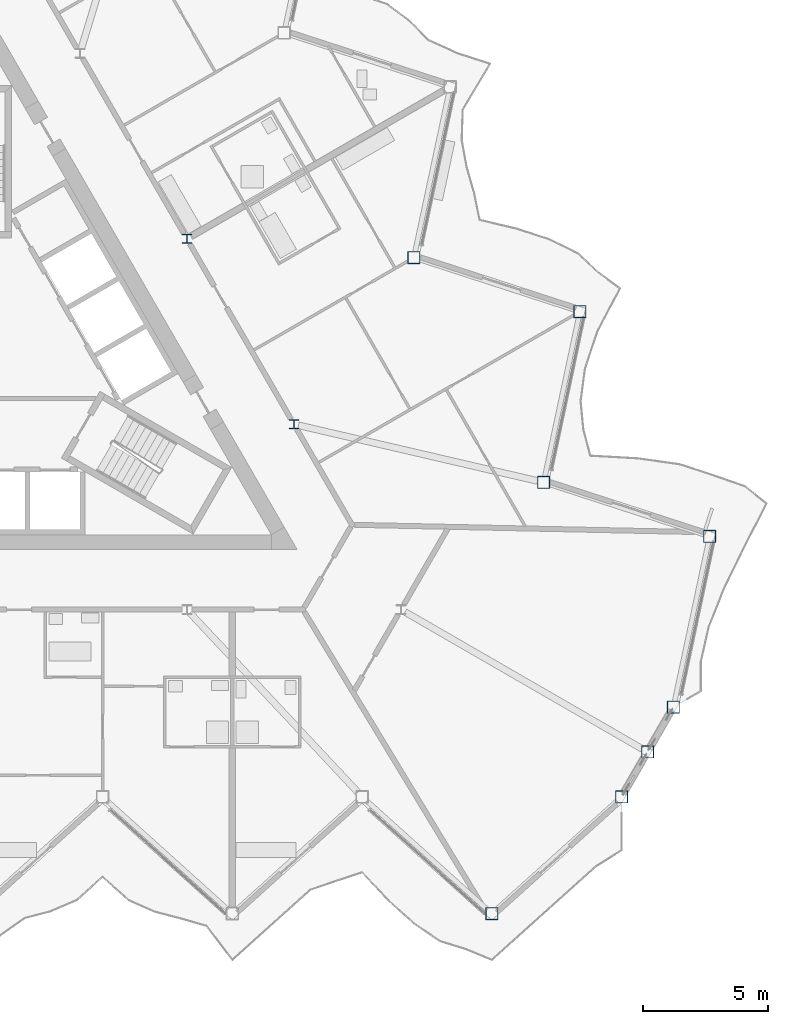
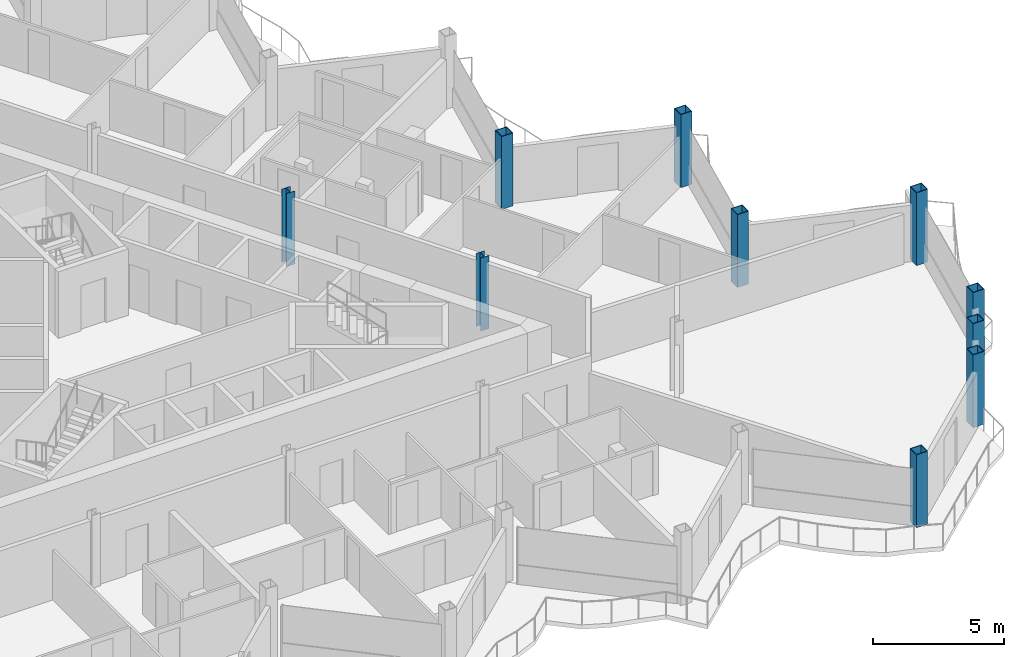
# One storey, part 2 of 25: 10 columns.
"""IFC4 building model written with IfcOpenShell, lengths in metres."""

from ifc_helpers import new_model, si_unit, direction, frame, origin, origin_2d, place, context, subcontext, project, spatial, hollow_rectangle, i_section, extrude, material, material_profile, profile_set, type_object, element, save


model = new_model("IFC4")

# Units and contexts
model_context = context("Model", 3, precision=1e-05, world=origin(), true_north=direction((0.0, 1.0)))
body_context = subcontext(model_context, "Body", "Model", "MODEL_VIEW")
ifc_project = project(units=[si_unit("LENGTHUNIT", "METRE"), si_unit("AREAUNIT", "SQUARE_METRE"), si_unit("VOLUMEUNIT", "CUBIC_METRE"), si_unit("PLANEANGLEUNIT", "RADIAN"), si_unit("MASSUNIT", "GRAM", prefix="KILO")], contexts=[model_context])

# Site, building, storey
site_placement = place(None, origin())
site = spatial("IfcSite", under=ifc_project, at=site_placement, CompositionType="ELEMENT")
building_placement = place(site_placement, origin())
building = spatial("IfcBuilding", under=site, at=building_placement, Name="Cormorant Prow Tower", CompositionType="ELEMENT")
storey_placement = place(building_placement, frame((0.0, 0.0, 395.0)))
storey = spatial("IfcBuildingStorey", under=building, at=storey_placement, Name="L90", CompositionType="ELEMENT", Elevation=395.0)

# Columns
ifc_material_1 = material(Name="Structural steel ASTM A572 Gr 50", Category="steel")
ifc_material_profile_1 = material_profile(ifc_material_1, hollow_rectangle(XDim=0.5, YDim=0.5, WallThickness=0.030029296875, at=origin_2d()), Name="Box 500x500x30")
ifc_profile_set_1 = profile_set([ifc_material_profile_1], Name="Structural steel ASTM A572 Gr 50")
column_type_1 = type_object("IfcColumnType", Name="Perimeter box column 500x500x30", PredefinedType="COLUMN", material=ifc_profile_set_1)
for number, where, z_axis, x_axis, name in (
    (1, (20.800048828125, -22.087890625, 0.0), (0.0, 0.0, 1.0), (1.0, 0.0, 0.0), "Perimeter column C7 at S09 L90"),
    (2, (26.0, -17.40576171875, 0.0), (0.0, 0.0, 1.0), (1.0, 0.0, 0.0), "Perimeter column C7 at ESE00 L90"),
    (3, (27.036865234375, -15.60986328125, 0.0), (0.0, 0.0, 1.0), (1.0, 0.0, 0.0), "Perimeter column C7 at ESE01 L90"),
    (4, (28.07373046875, -13.813720703125, 0.0), (0.0, 0.0, 1.0), (1.0, 0.0, 0.0), "Perimeter column C7 at ENE00 L90"),
    (5, (29.528564453125, -6.969482421875, 0.0), (0.0, 0.0, 1.0), (1.0, 0.0, 0.0), "Perimeter column C7 at ENE01 L90"),
    (6, (22.873779296875, -4.80712890625, 0.0), (0.0, 0.0, 1.0), (1.0, 0.0, 0.0), "Perimeter column C7 at ENE02 L90"),
    (7, (24.32861328125, 2.037353515625, 0.0), (0.0, 0.0, 1.0), (1.0, 0.0, 0.0), "Perimeter column C7 at ENE03 L90"),
    (8, (17.673828125, 4.199462890625, 0.0), (0.0, 0.0, 1.0), (1.0, 0.0, 0.0), "Perimeter column C7 at ENE04 L90"),
):
    element("IfcColumn", number, at=place(storey_placement, frame(where, z_axis=z_axis, x_axis=x_axis)), inside=storey, type_object=column_type_1, Name=name, PredefinedType="COLUMN", context=body_context, shape_type="SweptSolid", body=[
        extrude(hollow_rectangle(XDim=0.5, YDim=0.5, WallThickness=0.030029296875, at=origin_2d()), origin(), (0.0, 0.0, 1.0), 3.39990234375),
    ])
ifc_material_2 = material(Name="Structural steel ASTM A992 Gr 50", Category="steel")
ifc_material_profile_2 = material_profile(ifc_material_2, i_section(OverallWidth=0.3740234375, OverallDepth=0.372314453125, WebThickness=0.016357421875, FlangeThickness=0.026123046875, at=origin_2d()), Name="W14x132")
ifc_profile_set_2 = profile_set([ifc_material_profile_2], Name="Structural steel ASTM A992 Gr 50")
column_type_2 = type_object("IfcColumnType", Name="Ring column W14x132", PredefinedType="COLUMN", material=ifc_profile_set_2)
for number, where, z_axis, x_axis, name in (
    (9, (12.86767578125, -2.476318359375, 0.0), (0.0, 0.0, 1.0), (1.0, 0.0, 0.0), "Ring column 10 L90"),
    (10, (8.578369140625, 4.952880859375, 0.0), (0.0, 0.0, 1.0), (1.0, 0.0, 0.0), "Ring column 11 L90"),
):
    element("IfcColumn", number, at=place(storey_placement, frame(where, z_axis=z_axis, x_axis=x_axis)), inside=storey, type_object=column_type_2, Name=name, PredefinedType="COLUMN", context=body_context, shape_type="SweptSolid", body=[
        extrude(i_section(OverallWidth=0.3740234375, OverallDepth=0.372314453125, WebThickness=0.016357421875, FlangeThickness=0.026123046875, at=origin_2d()), origin(), (0.0, 0.0, 1.0), 3.39990234375),
    ])

save(model, "model.ifc")
